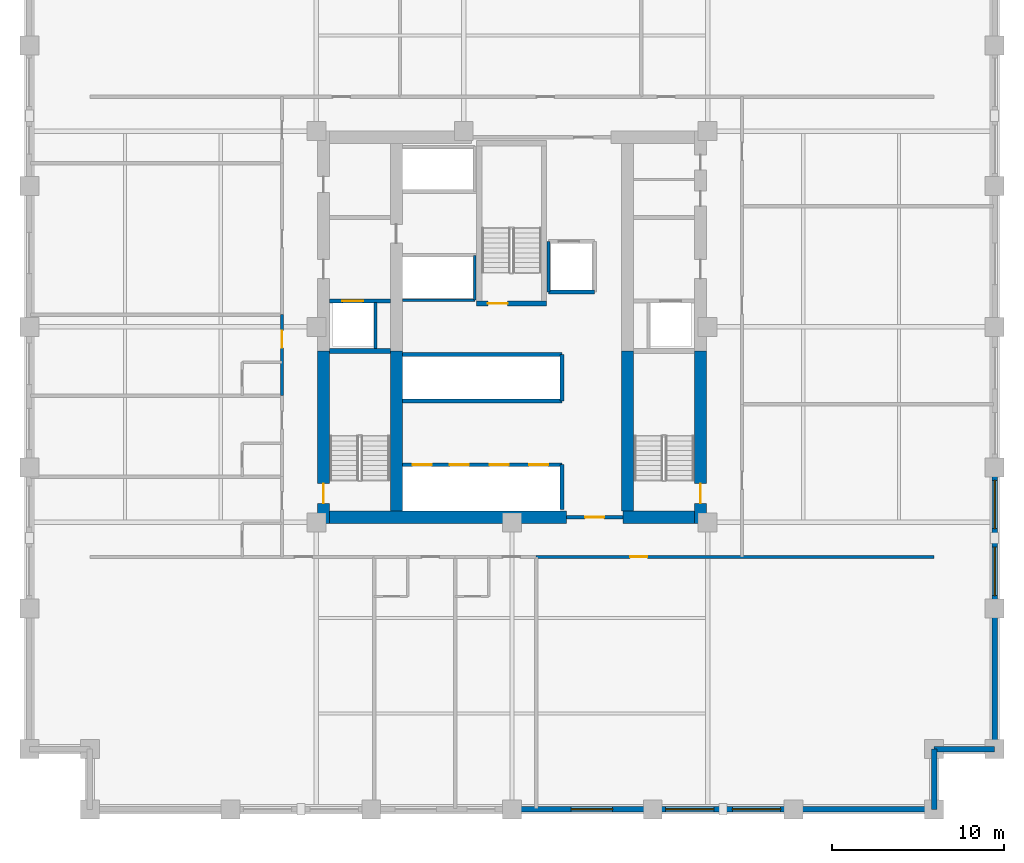
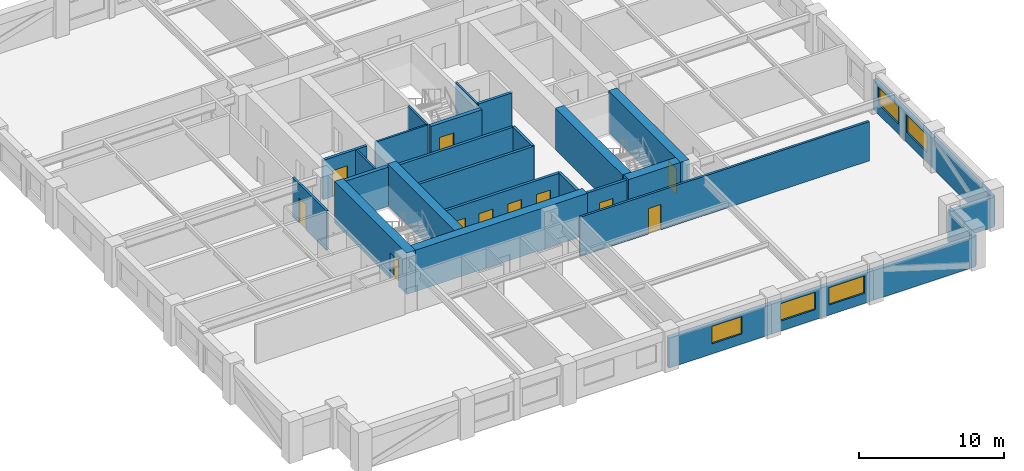
# One storey, part 3 of 7: 29 walls, 11 doors, 5 windows, 16 openings.
"""IFC4 building model written with IfcOpenShell, lengths in metres."""

from ifc_helpers import new_model, si_unit, direction, frame, frame_2d, origin, place, context, subcontext, project, spatial, rectangle, extrude, material, layer, layer_set, type_object, element, fill, save


model = new_model("IFC4")

# Units and contexts
model_context = context("Model", 3, precision=1e-05, world=origin(), true_north=direction((0.0, 1.0)))
body_context = subcontext(model_context, "Body", "Model", "MODEL_VIEW")
ifc_project = project(units=[si_unit("LENGTHUNIT", "METRE"), si_unit("AREAUNIT", "SQUARE_METRE"), si_unit("VOLUMEUNIT", "CUBIC_METRE"), si_unit("PLANEANGLEUNIT", "RADIAN"), si_unit("MASSUNIT", "GRAM", prefix="KILO")], contexts=[model_context])

# Site, building, storey
site_placement = place(None, origin())
site = spatial("IfcSite", under=ifc_project, at=site_placement, CompositionType="ELEMENT")
building_placement = place(site_placement, origin())
building = spatial("IfcBuilding", under=site, at=building_placement, Name="Nhamokura Convention Tower", CompositionType="ELEMENT")
storey_placement = place(building_placement, frame((0.0, 0.0, 59.85009765625)))
storey = spatial("IfcBuildingStorey", under=building, at=storey_placement, Name="L13", CompositionType="ELEMENT", Elevation=59.85009765625)

# Wall, opening, window
ifc_material_1 = material(Name="Bronze-pigmented precast concrete C45/55", Category="concrete")
ifc_layer_1 = layer(ifc_material_1, 0.320068359375)
ifc_layer_set_1 = layer_set([ifc_layer_1], Name="BronzePrecastSpandrel_320")
wall_type_1 = type_object("IfcWallType", Name="BronzePrecastSpandrel_320", PredefinedType="USERDEFINED", material=ifc_layer_set_1)
wall_1_placement = place(storey_placement, frame((40.166748046875, 4.0, 0.0), z_axis=(0.0, 0.0, 1.0), x_axis=(-1.0, 0.0, 0.0)))
wall_1 = element("IfcWall", 1, at=wall_1_placement, inside=storey, type_object=wall_type_1, Name="L13 Masonry-Frame Wall SOUTH 3", ObjectType="SPANDREL_WALL", PredefinedType="USERDEFINED", context=body_context, shape_type="SweptSolid", body=[
    extrude(rectangle(XDim=8.166748046875, YDim=0.320068359375, at=frame_2d((4.08349609375, 0.0))), origin(), (0.0, 0.0, 1.0), 2.52001953125),
])
opening_1_placement = place(wall_1_placement, frame((2.33349609375, 0.0, 0.85009765625)))
opening_1 = element("IfcOpeningElement", 2, at=opening_1_placement, cuts=wall_1, Name="Opening W-03", PredefinedType="OPENING", context=body_context, shape_type="SweptSolid", body=[
    extrude(rectangle(XDim=2.39990234375, YDim=1.469970703125, at=frame_2d((1.199951171875, 0.73486328125))), frame((0.0, 0.169921875, 0.0), z_axis=(0.0, -1.0, 0.0), x_axis=(1.0, 0.0, 0.0)), (0.0, 0.0, 1.0), 0.340087890625),
])
ifc_material_2 = material(Name="Solar-control bronze low-E double glass", Category="glass")
window_type_1 = type_object("IfcWindowType", Name="HotelBayWindow_2400", PartitioningType="DOUBLE_PANEL_VERTICAL", PredefinedType="WINDOW", material=ifc_material_2)
window_1_placement = place(opening_1_placement, origin())
window_1 = element("IfcWindow", 3, at=window_1_placement, inside=storey, type_object=window_type_1, Name="L13 Facade Window SOUTH 3-1", OverallHeight=1.469970703125, OverallWidth=2.39990234375, PartitioningType="SINGLE_PANEL", PredefinedType="WINDOW", context=body_context, shape_type="SweptSolid", body=[
    extrude(rectangle(XDim=2.39990234375, YDim=1.469970703125, at=frame_2d((1.199951171875, 0.73486328125))), frame((0.0, 0.030029296875, 0.0), z_axis=(0.0, -1.0, 0.0), x_axis=(1.0, 0.0, 0.0)), (0.0, 0.0, 1.0), 0.06005859375),
])
fill(opening_1, window_1)

# Wall, openings, windows
wall_2_placement = place(storey_placement, frame((48.333251953125, 4.0, 0.0), z_axis=(0.0, 0.0, 1.0), x_axis=(-1.0, 0.0, 0.0)))
wall_2 = element("IfcWall", 4, at=wall_2_placement, inside=storey, type_object=wall_type_1, Name="L13 Masonry-Frame Wall SOUTH 4", ObjectType="SPANDREL_WALL", PredefinedType="USERDEFINED", context=body_context, shape_type="SweptSolid", body=[
    extrude(rectangle(XDim=8.16650390625, YDim=0.320068359375, at=frame_2d((4.083251953125, 0.0))), origin(), (0.0, 0.0, 1.0), 2.52001953125),
])
opening_2_placement = place(wall_2_placement, frame((0.74169921875, 0.0, 0.85009765625)))
opening_2 = element("IfcOpeningElement", 5, at=opening_2_placement, cuts=wall_2, Name="Opening W-04", PredefinedType="OPENING", context=body_context, shape_type="SweptSolid", body=[
    extrude(rectangle(XDim=2.800048828125, YDim=1.469970703125, at=frame_2d((1.39990234375, 0.73486328125))), frame((0.0, 0.169921875, 0.0), z_axis=(0.0, -1.0, 0.0), x_axis=(1.0, 0.0, 0.0)), (0.0, 0.0, 1.0), 0.340087890625),
])
opening_3_placement = place(wall_2_placement, frame((4.625, 0.0, 0.85009765625)))
opening_3 = element("IfcOpeningElement", 6, at=opening_3_placement, cuts=wall_2, Name="Opening W-04", PredefinedType="OPENING", context=body_context, shape_type="SweptSolid", body=[
    extrude(rectangle(XDim=2.800048828125, YDim=1.469970703125, at=frame_2d((1.39990234375, 0.73486328125))), frame((0.0, 0.169921875, 0.0), z_axis=(0.0, -1.0, 0.0), x_axis=(1.0, 0.0, 0.0)), (0.0, 0.0, 1.0), 0.340087890625),
])
ifc_material_3 = material(Name="Solar-control bronze low-E double glass", Category="glass")
window_type_2 = type_object("IfcWindowType", Name="HotelSuiteWindow_2800", PartitioningType="DOUBLE_PANEL_VERTICAL", PredefinedType="WINDOW", material=ifc_material_3)
window_2_placement = place(opening_2_placement, origin())
window_2 = element("IfcWindow", 7, at=window_2_placement, inside=storey, type_object=window_type_2, Name="L13 Facade Window SOUTH 4-1", OverallHeight=1.469970703125, OverallWidth=2.800048828125, PartitioningType="SINGLE_PANEL", PredefinedType="WINDOW", context=body_context, shape_type="SweptSolid", body=[
    extrude(rectangle(XDim=2.800048828125, YDim=1.469970703125, at=frame_2d((1.39990234375, 0.73486328125))), frame((0.0, 0.030029296875, 0.0), z_axis=(0.0, -1.0, 0.0), x_axis=(1.0, 0.0, 0.0)), (0.0, 0.0, 1.0), 0.06005859375),
])
fill(opening_2, window_2)
window_3_placement = place(opening_3_placement, origin())
window_3 = element("IfcWindow", 8, at=window_3_placement, inside=storey, type_object=window_type_2, Name="L13 Facade Window SOUTH 4-2", OverallHeight=1.469970703125, OverallWidth=2.800048828125, PartitioningType="SINGLE_PANEL", PredefinedType="WINDOW", context=body_context, shape_type="SweptSolid", body=[
    extrude(rectangle(XDim=2.800048828125, YDim=1.469970703125, at=frame_2d((1.39990234375, 0.73486328125))), frame((0.0, 0.030029296875, 0.0), z_axis=(0.0, -1.0, 0.0), x_axis=(1.0, 0.0, 0.0)), (0.0, 0.0, 1.0), 0.06005859375),
])
fill(opening_3, window_3)

# Walls
for number, where, z_axis, x_axis, name in (
    (9, (56.5, 4.0, 0.0), (0.0, 0.0, 1.0), (-1.0, 0.0, 0.0), "L13 Braced-Bay Precast Wall SOUTH 5"),
    (10, (60.0, 15.666748046875, 0.0), (0.0, 0.0, 1.0), (0.0, -1.0, 0.0), "L13 Braced-Bay Precast Wall EAST 0"),
):
    element("IfcWall", number, at=place(storey_placement, frame(where, z_axis=z_axis, x_axis=x_axis)), inside=storey, type_object=wall_type_1, Name=name, ObjectType="SPANDREL_WALL", PredefinedType="USERDEFINED", context=body_context, shape_type="SweptSolid", body=[
        extrude(rectangle(XDim=8.166748046875, YDim=0.320068359375, at=frame_2d((4.08349609375, 0.0))), origin(), (0.0, 0.0, 1.0), 2.52001953125),
    ])

# Wall, openings, windows
wall_3_placement = place(storey_placement, frame((60.0, 23.833251953125, 0.0), z_axis=(0.0, 0.0, 1.0), x_axis=(0.0, -1.0, 0.0)))
wall_3 = element("IfcWall", 11, at=wall_3_placement, inside=storey, type_object=wall_type_1, Name="L13 Masonry-Frame Wall EAST 1", ObjectType="SPANDREL_WALL", PredefinedType="USERDEFINED", context=body_context, shape_type="SweptSolid", body=[
    extrude(rectangle(XDim=8.16650390625, YDim=0.320068359375, at=frame_2d((4.083251953125, 0.0))), origin(), (0.0, 0.0, 1.0), 2.52001953125),
])
opening_4_placement = place(wall_3_placement, frame((0.74169921875, 0.0, 0.85009765625)))
opening_4 = element("IfcOpeningElement", 12, at=opening_4_placement, cuts=wall_3, Name="Opening W-04", PredefinedType="OPENING", context=body_context, shape_type="SweptSolid", body=[
    extrude(rectangle(XDim=2.800048828125, YDim=1.469970703125, at=frame_2d((1.39990234375, 0.73486328125))), frame((0.0, 0.169921875, 0.0), z_axis=(0.0, -1.0, 0.0), x_axis=(1.0, 0.0, 0.0)), (0.0, 0.0, 1.0), 0.340087890625),
])
opening_5_placement = place(wall_3_placement, frame((4.625, 0.0, 0.85009765625)))
opening_5 = element("IfcOpeningElement", 13, at=opening_5_placement, cuts=wall_3, Name="Opening W-04", PredefinedType="OPENING", context=body_context, shape_type="SweptSolid", body=[
    extrude(rectangle(XDim=2.800048828125, YDim=1.469970703125, at=frame_2d((1.39990234375, 0.73486328125))), frame((0.0, 0.169921875, 0.0), z_axis=(0.0, -1.0, 0.0), x_axis=(1.0, 0.0, 0.0)), (0.0, 0.0, 1.0), 0.340087890625),
])
window_4_placement = place(opening_4_placement, origin())
window_4 = element("IfcWindow", 14, at=window_4_placement, inside=storey, type_object=window_type_2, Name="L13 Facade Window EAST 1-1", OverallHeight=1.469970703125, OverallWidth=2.800048828125, PartitioningType="SINGLE_PANEL", PredefinedType="WINDOW", context=body_context, shape_type="SweptSolid", body=[
    extrude(rectangle(XDim=2.800048828125, YDim=1.469970703125, at=frame_2d((1.39990234375, 0.73486328125))), frame((0.0, 0.030029296875, 0.0), z_axis=(0.0, -1.0, 0.0), x_axis=(1.0, 0.0, 0.0)), (0.0, 0.0, 1.0), 0.06005859375),
])
fill(opening_4, window_4)
window_5_placement = place(opening_5_placement, origin())
window_5 = element("IfcWindow", 15, at=window_5_placement, inside=storey, type_object=window_type_2, Name="L13 Facade Window EAST 1-2", OverallHeight=1.469970703125, OverallWidth=2.800048828125, PartitioningType="SINGLE_PANEL", PredefinedType="WINDOW", context=body_context, shape_type="SweptSolid", body=[
    extrude(rectangle(XDim=2.800048828125, YDim=1.469970703125, at=frame_2d((1.39990234375, 0.73486328125))), frame((0.0, 0.030029296875, 0.0), z_axis=(0.0, -1.0, 0.0), x_axis=(1.0, 0.0, 0.0)), (0.0, 0.0, 1.0), 0.06005859375),
])
fill(opening_5, window_5)

# Walls
for number, where, z_axis, x_axis, name in (
    (16, (56.5, 7.5, 0.0), (0.0, 0.0, 1.0), (0.0, -1.0, 0.0), "L13 Notched Corner Wall SE1"),
    (17, (60.0, 7.5, 0.0), (0.0, 0.0, 1.0), (-1.0, 0.0, 0.0), "L13 Notched Corner Wall SE2"),
):
    element("IfcWall", number, at=place(storey_placement, frame(where, z_axis=z_axis, x_axis=x_axis)), inside=storey, type_object=wall_type_1, Name=name, ObjectType="SPANDREL_WALL", PredefinedType="USERDEFINED", context=body_context, shape_type="SweptSolid", body=[
        extrude(rectangle(XDim=3.5, YDim=0.320068359375, at=frame_2d((1.75, 0.0))), origin(), (0.0, 0.0, 1.0), 2.52001953125),
    ])

# Wall, opening, door
ifc_material_4 = material(Name="Concrete C70/85", Category="concrete")
ifc_layer_2 = layer(ifc_material_4, 0.699951171875)
ifc_layer_set_2 = layer_set([ifc_layer_2], Name="CoreShearWall_700")
wall_type_2 = type_object("IfcWallType", Name="CoreShearWall_700", PredefinedType="SHEAR", material=ifc_layer_set_2)
wall_4_placement = place(storey_placement, frame((21.06005859375, 20.60009765625, 0.0), z_axis=(0.0, 0.0, 1.0), x_axis=(0.0, 1.0, 0.0)))
wall_4 = element("IfcWall", 18, at=wall_4_placement, inside=storey, type_object=wall_type_2, Name="L13 Core Shear Wall CW-WS", PredefinedType="SHEAR", context=body_context, shape_type="SweptSolid", body=[
    extrude(rectangle(XDim=10.0, YDim=0.699951171875, at=frame_2d((5.0, 0.0))), origin(), (0.0, 0.0, 1.0), 3.5),
])
opening_6_placement = place(wall_4_placement, frame((1.14990234375, 0.0, 0.0)))
opening_6 = element("IfcOpeningElement", 19, at=opening_6_placement, cuts=wall_4, Name="Opening D-04", PredefinedType="OPENING", context=body_context, shape_type="SweptSolid", body=[
    extrude(rectangle(XDim=1.14990234375, YDim=2.14990234375, at=frame_2d((0.574951171875, 1.074951171875))), frame((0.0, 0.35986328125, 0.0), z_axis=(0.0, -1.0, 0.0), x_axis=(1.0, 0.0, 0.0)), (0.0, 0.0, 1.0), 0.719970703125),
])
ifc_material_5 = material(Name="Fire-rated steel door", Category="steel")
door_type_1 = type_object("IfcDoorType", Name="StairSmokeDoor_1150", OperationType="NOTDEFINED", PredefinedType="DOOR", material=ifc_material_5)
door_1_placement = place(opening_6_placement, origin())
door_1 = element("IfcDoor", 20, at=door_1_placement, inside=storey, type_object=door_type_1, Name="L13 Core Door INT-L13-D-ST01", OperationType="SINGLE_SWING_LEFT", OverallHeight=2.14990234375, OverallWidth=1.14990234375, PredefinedType="DOOR", context=body_context, shape_type="SweptSolid", body=[
    extrude(rectangle(XDim=1.14990234375, YDim=2.14990234375, at=frame_2d((0.574951171875, 1.074951171875))), frame((0.0, 0.02490234375, 0.0), z_axis=(0.0, -1.0, 0.0), x_axis=(1.0, 0.0, 0.0)), (0.0, 0.0, 1.0), 0.050048828125),
])
fill(opening_6, door_1)

wall_5_placement = place(storey_placement, frame((42.93994140625, 20.60009765625, 0.0), z_axis=(0.0, 0.0, 1.0), x_axis=(0.0, 1.0, 0.0)))
wall_5 = element("IfcWall", 21, at=wall_5_placement, inside=storey, type_object=wall_type_2, Name="L13 Core Shear Wall CW-ES", PredefinedType="SHEAR", context=body_context, shape_type="SweptSolid", body=[
    extrude(rectangle(XDim=10.0, YDim=0.699951171875, at=frame_2d((5.0, 0.0))), origin(), (0.0, 0.0, 1.0), 3.5),
])
opening_7_placement = place(wall_5_placement, frame((1.14990234375, 0.0, 0.0)))
opening_7 = element("IfcOpeningElement", 22, at=opening_7_placement, cuts=wall_5, Name="Opening D-04", PredefinedType="OPENING", context=body_context, shape_type="SweptSolid", body=[
    extrude(rectangle(XDim=1.14990234375, YDim=2.14990234375, at=frame_2d((0.574951171875, 1.074951171875))), frame((0.0, 0.35986328125, 0.0), z_axis=(0.0, -1.0, 0.0), x_axis=(1.0, 0.0, 0.0)), (0.0, 0.0, 1.0), 0.719970703125),
])
door_2_placement = place(opening_7_placement, origin())
door_2 = element("IfcDoor", 23, at=door_2_placement, inside=storey, type_object=door_type_1, Name="L13 Core Door INT-L13-D-ST02", OperationType="SINGLE_SWING_RIGHT", OverallHeight=2.14990234375, OverallWidth=1.14990234375, PredefinedType="DOOR", context=body_context, shape_type="SweptSolid", body=[
    extrude(rectangle(XDim=1.14990234375, YDim=2.14990234375, at=frame_2d((0.574951171875, 1.074951171875))), frame((0.0, 0.02490234375, 0.0), z_axis=(0.0, -1.0, 0.0), x_axis=(1.0, 0.0, 0.0)), (0.0, 0.0, 1.0), 0.050048828125),
])
fill(opening_7, door_2)

# Walls
wall_6_placement = place(storey_placement, frame((21.409912109375, 20.949951171875, 0.0), z_axis=(0.0, 0.0, 1.0), x_axis=(1.0, 0.0, 0.0)))
element("IfcWall", 24, at=wall_6_placement, inside=storey, type_object=wall_type_2, Name="L13 Core Shear Wall CW-S1", PredefinedType="SHEAR", context=body_context, shape_type="SweptSolid", body=[
    extrude(rectangle(XDim=13.739990234375, YDim=0.699951171875, at=frame_2d((6.8701171875, 0.0))), origin(), (0.0, 0.0, 1.0), 3.5),
])
wall_7_placement = place(storey_placement, frame((38.449951171875, 20.949951171875, 0.0), z_axis=(0.0, 0.0, 1.0), x_axis=(1.0, 0.0, 0.0)))
element("IfcWall", 25, at=wall_7_placement, inside=storey, type_object=wall_type_2, Name="L13 Core Shear Wall CW-S2", PredefinedType="SHEAR", context=body_context, shape_type="SweptSolid", body=[
    extrude(rectangle(XDim=4.14013671875, YDim=0.699951171875, at=frame_2d((2.070068359375, 0.0))), origin(), (0.0, 0.0, 1.0), 3.5),
])
for number, where, z_axis, x_axis, name in (
    (26, (25.2900390625, 21.300048828125, 0.0), (0.0, 0.0, 1.0), (0.0, 1.0, 0.0), "L13 Core Shear Wall CW-IWS"),
    (27, (38.7099609375, 21.300048828125, 0.0), (0.0, 0.0, 1.0), (0.0, 1.0, 0.0), "L13 Core Shear Wall CW-IES"),
):
    element("IfcWall", number, at=place(storey_placement, frame(where, z_axis=z_axis, x_axis=x_axis)), inside=storey, type_object=wall_type_2, Name=name, PredefinedType="SHEAR", context=body_context, shape_type="SweptSolid", body=[
        extrude(rectangle(XDim=9.300048828125, YDim=0.699951171875, at=frame_2d((4.64990234375, 0.0))), origin(), (0.0, 0.0, 1.0), 3.5),
    ])

# Wall, opening, door
ifc_material_6 = material(Name="Fire-rated gypsum and masonry partition", Category="masonry")
ifc_layer_3 = layer(ifc_material_6, 0.179931640625)
ifc_layer_set_3 = layer_set([ifc_layer_3], Name="CorridorRatedWall_180")
wall_type_3 = type_object("IfcWallType", Name="CorridorRatedWall_180", PredefinedType="STANDARD", material=ifc_layer_set_3)
wall_8_placement = place(storey_placement, frame((33.39990234375, 18.64990234375, 0.0), z_axis=(0.0, 0.0, 1.0), x_axis=(1.0, 0.0, 0.0)))
wall_8 = element("IfcWall", 28, at=wall_8_placement, inside=storey, type_object=wall_type_3, Name="L13 Wall INT-L13-CW-S03", PredefinedType="STANDARD", context=body_context, shape_type="SweptSolid", body=[
    extrude(rectangle(XDim=23.10009765625, YDim=0.179931640625, at=frame_2d((11.550048828125, 0.0))), origin(), (0.0, 0.0, 1.0), 3.31982421875),
])
opening_8_placement = place(wall_8_placement, frame((5.449951171875, 0.0, 0.0)))
opening_8 = element("IfcOpeningElement", 29, at=opening_8_placement, cuts=wall_8, Name="Opening D-07", PredefinedType="OPENING", context=body_context, shape_type="SweptSolid", body=[
    extrude(rectangle(XDim=1.0, YDim=2.14990234375, at=frame_2d((0.5, 1.074951171875))), frame((0.0, 0.099853515625, 0.0), z_axis=(0.0, -1.0, 0.0), x_axis=(1.0, 0.0, 0.0)), (0.0, 0.0, 1.0), 0.199951171875),
])
ifc_material_7 = material(Name="Solid oak hardwood", Category="wood")
door_type_2 = type_object("IfcDoorType", Name="HotelSuiteEntryDoor_1000", OperationType="NOTDEFINED", PredefinedType="DOOR", material=ifc_material_7)
door_3_placement = place(opening_8_placement, origin())
door_3 = element("IfcDoor", 30, at=door_3_placement, inside=storey, type_object=door_type_2, Name="L13 Conference Salon S04 Door", OperationType="SINGLE_SWING_RIGHT", OverallHeight=2.14990234375, OverallWidth=1.0, PredefinedType="DOOR", context=body_context, shape_type="SweptSolid", body=[
    extrude(rectangle(XDim=1.0, YDim=2.14990234375, at=frame_2d((0.5, 1.074951171875))), frame((0.0, 0.02490234375, 0.0), z_axis=(0.0, -1.0, 0.0), x_axis=(1.0, 0.0, 0.0)), (0.0, 0.0, 1.0), 0.050048828125),
])
fill(opening_8, door_3)

wall_9_placement = place(storey_placement, frame((18.64990234375, 28.0, 0.0), z_axis=(0.0, 0.0, 1.0), x_axis=(0.0, 1.0, 0.0)))
wall_9 = element("IfcWall", 31, at=wall_9_placement, inside=storey, type_object=wall_type_3, Name="L13 Wall INT-L13-CW-W02", PredefinedType="STANDARD", context=body_context, shape_type="SweptSolid", body=[
    extrude(rectangle(XDim=4.699951171875, YDim=0.179931640625, at=frame_2d((2.35009765625, 0.0))), origin(), (0.0, 0.0, 1.0), 3.31982421875),
])
opening_9_placement = place(wall_9_placement, frame((2.77490234375, 0.0, 0.0)))
opening_9 = element("IfcOpeningElement", 32, at=opening_9_placement, cuts=wall_9, Name="Opening D-07", PredefinedType="OPENING", context=body_context, shape_type="SweptSolid", body=[
    extrude(rectangle(XDim=1.0, YDim=2.14990234375, at=frame_2d((0.5, 1.074951171875))), frame((0.0, 0.099853515625, 0.0), z_axis=(0.0, -1.0, 0.0), x_axis=(1.0, 0.0, 0.0)), (0.0, 0.0, 1.0), 0.199951171875),
])
door_4_placement = place(opening_9_placement, origin())
door_4 = element("IfcDoor", 33, at=door_4_placement, inside=storey, type_object=door_type_2, Name="L13 Guest Room W03 Door", OperationType="SINGLE_SWING_LEFT", OverallHeight=2.14990234375, OverallWidth=1.0, PredefinedType="DOOR", context=body_context, shape_type="SweptSolid", body=[
    extrude(rectangle(XDim=1.0, YDim=2.14990234375, at=frame_2d((0.5, 1.074951171875))), frame((0.0, 0.02490234375, 0.0), z_axis=(0.0, -1.0, 0.0), x_axis=(1.0, 0.0, 0.0)), (0.0, 0.0, 1.0), 0.050048828125),
])
fill(opening_9, door_4)

ifc_material_8 = material(Name="Autoclaved concrete blockwork", Category="masonry")
ifc_layer_4 = layer(ifc_material_8, 0.219970703125)
ifc_layer_set_4 = layer_set([ifc_layer_4], Name="FireLobbyWall_220")
wall_type_4 = type_object("IfcWallType", Name="FireLobbyWall_220", PredefinedType="STANDARD", material=ifc_layer_set_4)
wall_10_placement = place(storey_placement, frame((21.409912109375, 33.5, 0.0), z_axis=(0.0, 0.0, 1.0), x_axis=(1.0, 0.0, 0.0)))
wall_10 = element("IfcWall", 34, at=wall_10_placement, inside=storey, type_object=wall_type_4, Name="L13 Wall INT-L13-FFW-S", PredefinedType="STANDARD", context=body_context, shape_type="SweptSolid", body=[
    extrude(rectangle(XDim=3.530029296875, YDim=0.219970703125, at=frame_2d((1.76513671875, 0.0))), origin(), (0.0, 0.0, 1.0), 3.31982421875),
])
opening_10_placement = place(wall_10_placement, frame((0.75, 0.0, 0.0)))
opening_10 = element("IfcOpeningElement", 35, at=opening_10_placement, cuts=wall_10, Name="Opening LD-02", PredefinedType="OPENING", context=body_context, shape_type="SweptSolid", body=[
    extrude(rectangle(XDim=1.199951171875, YDim=2.199951171875, at=frame_2d((0.60009765625, 1.10009765625))), frame((0.0, 0.119873046875, 0.0), z_axis=(0.0, -1.0, 0.0), x_axis=(1.0, 0.0, 0.0)), (0.0, 0.0, 1.0), 0.239990234375),
])
ifc_material_9 = material(Name="Anodised bronze stainless steel", Category="steel")
door_type_3 = type_object("IfcDoorType", Name="LiftLandingDoor_FireService", OperationType="DOUBLE_DOOR_SLIDING", PredefinedType="DOOR", material=ifc_material_9)
door_5_placement = place(opening_10_placement, origin())
door_5 = element("IfcDoor", 36, at=door_5_placement, inside=storey, type_object=door_type_3, Name="L13 Firefighting Lift LF-01 Door", OperationType="DOUBLE_DOOR_SLIDING", OverallHeight=2.199951171875, OverallWidth=1.199951171875, PredefinedType="DOOR", context=body_context, shape_type="SweptSolid", body=[
    extrude(rectangle(XDim=1.199951171875, YDim=2.199951171875, at=frame_2d((0.60009765625, 1.10009765625))), frame((0.0, 0.02490234375, 0.0), z_axis=(0.0, -1.0, 0.0), x_axis=(1.0, 0.0, 0.0)), (0.0, 0.0, 1.0), 0.050048828125),
])
fill(opening_10, door_5)

wall_11_placement = place(storey_placement, frame((35.14990234375, 20.949951171875, 0.0), z_axis=(0.0, 0.0, 1.0), x_axis=(1.0, 0.0, 0.0)))
wall_11 = element("IfcWall", 37, at=wall_11_placement, inside=storey, type_object=wall_type_4, Name="L13 Wall INT-L13-SPORT-S", PredefinedType="STANDARD", context=body_context, shape_type="SweptSolid", body=[
    extrude(rectangle(XDim=3.300048828125, YDim=0.219970703125, at=frame_2d((1.64990234375, 0.0))), origin(), (0.0, 0.0, 1.0), 3.31982421875),
])
opening_11_placement = place(wall_11_placement, frame((1.10009765625, 0.0, 0.0)))
opening_11 = element("IfcOpeningElement", 38, at=opening_11_placement, cuts=wall_11, Name="Opening D-05", PredefinedType="OPENING", context=body_context, shape_type="SweptSolid", body=[
    extrude(rectangle(XDim=1.10009765625, YDim=2.14990234375, at=frame_2d((0.550048828125, 1.074951171875))), frame((0.0, 0.119873046875, 0.0), z_axis=(0.0, -1.0, 0.0), x_axis=(1.0, 0.0, 0.0)), (0.0, 0.0, 1.0), 0.239990234375),
])
ifc_material_10 = material(Name="Fire-rated steel door", Category="steel")
door_type_4 = type_object("IfcDoorType", Name="FireLobbyDoor_1100", OperationType="NOTDEFINED", PredefinedType="DOOR", material=ifc_material_10)
door_6_placement = place(opening_11_placement, origin())
door_6 = element("IfcDoor", 39, at=door_6_placement, inside=storey, type_object=door_type_4, Name="L13 South Core Lobby Portal Door", OperationType="SINGLE_SWING_LEFT", OverallHeight=2.14990234375, OverallWidth=1.10009765625, PredefinedType="DOOR", context=body_context, shape_type="SweptSolid", body=[
    extrude(rectangle(XDim=1.10009765625, YDim=2.14990234375, at=frame_2d((0.550048828125, 1.074951171875))), frame((0.0, 0.02490234375, 0.0), z_axis=(0.0, -1.0, 0.0), x_axis=(1.0, 0.0, 0.0)), (0.0, 0.0, 1.0), 0.050048828125),
])
fill(opening_11, door_6)

# Wall, openings, doors
wall_12_placement = place(storey_placement, frame((25.64990234375, 24.0, 0.0), z_axis=(0.0, 0.0, 1.0), x_axis=(1.0, 0.0, 0.0)))
wall_12 = element("IfcWall", 40, at=wall_12_placement, inside=storey, type_object=wall_type_4, Name="L13 Wall INT-L13-B1N", PredefinedType="STANDARD", context=body_context, shape_type="SweptSolid", body=[
    extrude(rectangle(XDim=9.25, YDim=0.219970703125, at=frame_2d((4.625, 0.0))), origin(), (0.0, 0.0, 1.0), 3.31982421875),
])
opening_12_placement = place(wall_12_placement, frame((0.580078125, 0.0, 0.0)))
opening_12 = element("IfcOpeningElement", 41, at=opening_12_placement, cuts=wall_12, Name="Opening LD-01", PredefinedType="OPENING", context=body_context, shape_type="SweptSolid", body=[
    extrude(rectangle(XDim=1.10009765625, YDim=2.14990234375, at=frame_2d((0.550048828125, 1.074951171875))), frame((0.0, 0.119873046875, 0.0), z_axis=(0.0, -1.0, 0.0), x_axis=(1.0, 0.0, 0.0)), (0.0, 0.0, 1.0), 0.239990234375),
])
opening_13_placement = place(wall_12_placement, frame((2.75, 0.0, 0.0)))
opening_13 = element("IfcOpeningElement", 42, at=opening_13_placement, cuts=wall_12, Name="Opening LD-01", PredefinedType="OPENING", context=body_context, shape_type="SweptSolid", body=[
    extrude(rectangle(XDim=1.10009765625, YDim=2.14990234375, at=frame_2d((0.550048828125, 1.074951171875))), frame((0.0, 0.119873046875, 0.0), z_axis=(0.0, -1.0, 0.0), x_axis=(1.0, 0.0, 0.0)), (0.0, 0.0, 1.0), 0.239990234375),
])
opening_14_placement = place(wall_12_placement, frame((5.050048828125, 0.0, 0.0)))
opening_14 = element("IfcOpeningElement", 43, at=opening_14_placement, cuts=wall_12, Name="Opening LD-01", PredefinedType="OPENING", context=body_context, shape_type="SweptSolid", body=[
    extrude(rectangle(XDim=1.10009765625, YDim=2.14990234375, at=frame_2d((0.550048828125, 1.074951171875))), frame((0.0, 0.119873046875, 0.0), z_axis=(0.0, -1.0, 0.0), x_axis=(1.0, 0.0, 0.0)), (0.0, 0.0, 1.0), 0.239990234375),
])
opening_15_placement = place(wall_12_placement, frame((7.35009765625, 0.0, 0.0)))
opening_15 = element("IfcOpeningElement", 44, at=opening_15_placement, cuts=wall_12, Name="Opening LD-01", PredefinedType="OPENING", context=body_context, shape_type="SweptSolid", body=[
    extrude(rectangle(XDim=1.10009765625, YDim=2.14990234375, at=frame_2d((0.550048828125, 1.074951171875))), frame((0.0, 0.119873046875, 0.0), z_axis=(0.0, -1.0, 0.0), x_axis=(1.0, 0.0, 0.0)), (0.0, 0.0, 1.0), 0.239990234375),
])
ifc_material_11 = material(Name="Anodised bronze stainless steel", Category="steel")
door_type_5 = type_object("IfcDoorType", Name="LiftLandingDoor_Passenger", OperationType="DOUBLE_DOOR_SLIDING", PredefinedType="DOOR", material=ifc_material_11)
door_7_placement = place(opening_12_placement, origin())
door_7 = element("IfcDoor", 45, at=door_7_placement, inside=storey, type_object=door_type_5, Name="L13 Lift LP-01 Landing Door", OperationType="DOUBLE_DOOR_SLIDING", OverallHeight=2.14990234375, OverallWidth=1.10009765625, PredefinedType="DOOR", context=body_context, shape_type="SweptSolid", body=[
    extrude(rectangle(XDim=1.10009765625, YDim=2.14990234375, at=frame_2d((0.550048828125, 1.074951171875))), frame((0.0, 0.02490234375, 0.0), z_axis=(0.0, -1.0, 0.0), x_axis=(1.0, 0.0, 0.0)), (0.0, 0.0, 1.0), 0.050048828125),
])
fill(opening_12, door_7)
door_8_placement = place(opening_13_placement, origin())
door_8 = element("IfcDoor", 46, at=door_8_placement, inside=storey, type_object=door_type_5, Name="L13 Lift LP-02 Landing Door", OperationType="DOUBLE_DOOR_SLIDING", OverallHeight=2.14990234375, OverallWidth=1.10009765625, PredefinedType="DOOR", context=body_context, shape_type="SweptSolid", body=[
    extrude(rectangle(XDim=1.10009765625, YDim=2.14990234375, at=frame_2d((0.550048828125, 1.074951171875))), frame((0.0, 0.02490234375, 0.0), z_axis=(0.0, -1.0, 0.0), x_axis=(1.0, 0.0, 0.0)), (0.0, 0.0, 1.0), 0.050048828125),
])
fill(opening_13, door_8)
door_9_placement = place(opening_14_placement, origin())
door_9 = element("IfcDoor", 47, at=door_9_placement, inside=storey, type_object=door_type_5, Name="L13 Lift LP-03 Landing Door", OperationType="DOUBLE_DOOR_SLIDING", OverallHeight=2.14990234375, OverallWidth=1.10009765625, PredefinedType="DOOR", context=body_context, shape_type="SweptSolid", body=[
    extrude(rectangle(XDim=1.10009765625, YDim=2.14990234375, at=frame_2d((0.550048828125, 1.074951171875))), frame((0.0, 0.02490234375, 0.0), z_axis=(0.0, -1.0, 0.0), x_axis=(1.0, 0.0, 0.0)), (0.0, 0.0, 1.0), 0.050048828125),
])
fill(opening_14, door_9)
door_10_placement = place(opening_15_placement, origin())
door_10 = element("IfcDoor", 48, at=door_10_placement, inside=storey, type_object=door_type_5, Name="L13 Lift LP-04 Landing Door", OperationType="DOUBLE_DOOR_SLIDING", OverallHeight=2.14990234375, OverallWidth=1.10009765625, PredefinedType="DOOR", context=body_context, shape_type="SweptSolid", body=[
    extrude(rectangle(XDim=1.10009765625, YDim=2.14990234375, at=frame_2d((0.550048828125, 1.074951171875))), frame((0.0, 0.02490234375, 0.0), z_axis=(0.0, -1.0, 0.0), x_axis=(1.0, 0.0, 0.0)), (0.0, 0.0, 1.0), 0.050048828125),
])
fill(opening_15, door_10)

# Walls
wall_13_placement = place(storey_placement, frame((34.89990234375, 21.39990234375, 0.0), z_axis=(0.0, 0.0, 1.0), x_axis=(0.0, 1.0, 0.0)))
element("IfcWall", 49, at=wall_13_placement, inside=storey, type_object=wall_type_4, Name="L13 Wall INT-L13-B1E", PredefinedType="STANDARD", context=body_context, shape_type="SweptSolid", body=[
    extrude(rectangle(XDim=2.60009765625, YDim=0.219970703125, at=frame_2d((1.300048828125, 0.0))), origin(), (0.0, 0.0, 1.0), 3.31982421875),
])
for number, where, z_axis, x_axis, name in (
    (50, (25.64990234375, 27.699951171875, 0.0), (0.0, 0.0, 1.0), (1.0, 0.0, 0.0), "L13 Wall INT-L13-B2S"),
    (51, (25.64990234375, 30.39990234375, 0.0), (0.0, 0.0, 1.0), (1.0, 0.0, 0.0), "L13 Wall INT-L13-B2N"),
):
    element("IfcWall", number, at=place(storey_placement, frame(where, z_axis=z_axis, x_axis=x_axis)), inside=storey, type_object=wall_type_4, Name=name, PredefinedType="STANDARD", context=body_context, shape_type="SweptSolid", body=[
        extrude(rectangle(XDim=9.25, YDim=0.219970703125, at=frame_2d((4.625, 0.0))), origin(), (0.0, 0.0, 1.0), 3.31982421875),
    ])
wall_14_placement = place(storey_placement, frame((34.89990234375, 27.699951171875, 0.0), z_axis=(0.0, 0.0, 1.0), x_axis=(0.0, 1.0, 0.0)))
element("IfcWall", 52, at=wall_14_placement, inside=storey, type_object=wall_type_4, Name="L13 Wall INT-L13-B2E", PredefinedType="STANDARD", context=body_context, shape_type="SweptSolid", body=[
    extrude(rectangle(XDim=2.699951171875, YDim=0.219970703125, at=frame_2d((1.35009765625, 0.0))), origin(), (0.0, 0.0, 1.0), 3.31982421875),
])
wall_15_placement = place(storey_placement, frame((34.1201171875, 34.02001953125, 0.0), z_axis=(0.0, 0.0, 1.0), x_axis=(1.0, 0.0, 0.0)))
element("IfcWall", 53, at=wall_15_placement, inside=storey, type_object=wall_type_4, Name="L13 Wall INT-L13-LSS", PredefinedType="STANDARD", context=body_context, shape_type="SweptSolid", body=[
    extrude(rectangle(XDim=2.679931640625, YDim=0.219970703125, at=frame_2d((1.33984375, 0.0))), origin(), (0.0, 0.0, 1.0), 3.31982421875),
])
ifc_material_12 = material(Name="Acoustic gypsum stud partition", Category="masonry")
ifc_layer_5 = layer(ifc_material_12, 0.14990234375)
ifc_layer_set_5 = layer_set([ifc_layer_5], Name="InteriorPartition_150")
wall_type_5 = type_object("IfcWallType", Name="InteriorPartition_150", PredefinedType="STANDARD", material=ifc_layer_set_5)
wall_16_placement = place(storey_placement, frame((24.080078125, 30.75, 0.0), z_axis=(0.0, 0.0, 1.0), x_axis=(0.0, 1.0, 0.0)))
element("IfcWall", 54, at=wall_16_placement, inside=storey, type_object=wall_type_5, Name="L13 Wall INT-L13-FF1-E", PredefinedType="STANDARD", context=body_context, shape_type="SweptSolid", body=[
    extrude(rectangle(XDim=2.64990234375, YDim=0.14990234375, at=frame_2d((1.324951171875, 0.0))), origin(), (0.0, 0.0, 1.0), 3.31982421875),
])
wall_17_placement = place(storey_placement, frame((25.64990234375, 33.550048828125, 0.0), z_axis=(0.0, 0.0, 1.0), x_axis=(1.0, 0.0, 0.0)))
element("IfcWall", 55, at=wall_17_placement, inside=storey, type_object=wall_type_5, Name="L13 Wall INT-L13-B3A-S", PredefinedType="STANDARD", context=body_context, shape_type="SweptSolid", body=[
    extrude(rectangle(XDim=4.2001953125, YDim=0.14990234375, at=frame_2d((2.10009765625, 0.0))), origin(), (0.0, 0.0, 1.0), 3.31982421875),
])
wall_18_placement = place(storey_placement, frame((29.85009765625, 33.550048828125, 0.0), z_axis=(0.0, 0.0, 1.0), x_axis=(0.0, 1.0, 0.0)))
element("IfcWall", 56, at=wall_18_placement, inside=storey, type_object=wall_type_5, Name="L13 Wall INT-L13-B3A-E", PredefinedType="STANDARD", context=body_context, shape_type="SweptSolid", body=[
    extrude(rectangle(XDim=2.599853515625, YDim=0.14990234375, at=frame_2d((1.2998046875, 0.0))), origin(), (0.0, 0.0, 1.0), 3.31982421875),
])
wall_19_placement = place(storey_placement, frame((34.1201171875, 34.02001953125, 0.0), z_axis=(0.0, 0.0, 1.0), x_axis=(0.0, 1.0, 0.0)))
element("IfcWall", 57, at=wall_19_placement, inside=storey, type_object=wall_type_5, Name="L13 Wall INT-L13-LSW", PredefinedType="STANDARD", context=body_context, shape_type="SweptSolid", body=[
    extrude(rectangle(XDim=2.929931640625, YDim=0.14990234375, at=frame_2d((1.46484375, 0.0))), origin(), (0.0, 0.0, 1.0), 3.31982421875),
])
ifc_material_13 = material(Name="Concrete C50/60", Category="concrete")
ifc_layer_6 = layer(ifc_material_13, 0.300048828125)
ifc_layer_set_6 = layer_set([ifc_layer_6], Name="ShaftEnclosureWall_300")
wall_type_6 = type_object("IfcWallType", Name="ShaftEnclosureWall_300", PredefinedType="SHEAR", material=ifc_layer_set_6)
wall_20_placement = place(storey_placement, frame((21.409912109375, 30.60009765625, 0.0), z_axis=(0.0, 0.0, 1.0), x_axis=(1.0, 0.0, 0.0)))
element("IfcWall", 58, at=wall_20_placement, inside=storey, type_object=wall_type_6, Name="L13 Wall INT-L13-ST01-N", PredefinedType="SHEAR", context=body_context, shape_type="SweptSolid", body=[
    extrude(rectangle(XDim=3.530029296875, YDim=0.300048828125, at=frame_2d((1.76513671875, 0.0))), origin(), (0.0, 0.0, 1.0), 3.31982421875),
])

# Wall, opening, door
wall_21_placement = place(storey_placement, frame((29.949951171875, 33.35009765625, 0.0), z_axis=(0.0, 0.0, 1.0), x_axis=(1.0, 0.0, 0.0)))
wall_21 = element("IfcWall", 59, at=wall_21_placement, inside=storey, type_object=wall_type_6, Name="L13 Wall INT-L13-ST03S", PredefinedType="SHEAR", context=body_context, shape_type="SweptSolid", body=[
    extrude(rectangle(XDim=4.050048828125, YDim=0.300048828125, at=frame_2d((2.02490234375, 0.0))), origin(), (0.0, 0.0, 1.0), 3.31982421875),
])
opening_16_placement = place(wall_21_placement, frame((0.64990234375, 0.0, 0.0)))
opening_16 = element("IfcOpeningElement", 60, at=opening_16_placement, cuts=wall_21, Name="Opening D-04", PredefinedType="OPENING", context=body_context, shape_type="SweptSolid", body=[
    extrude(rectangle(XDim=1.14990234375, YDim=2.14990234375, at=frame_2d((0.574951171875, 1.074951171875))), frame((0.0, 0.159912109375, 0.0), z_axis=(0.0, -1.0, 0.0), x_axis=(1.0, 0.0, 0.0)), (0.0, 0.0, 1.0), 0.320068359375),
])
door_11_placement = place(opening_16_placement, origin())
door_11 = element("IfcDoor", 61, at=door_11_placement, inside=storey, type_object=door_type_1, Name="L13 Stair ST-03 Smoke Door", OperationType="SINGLE_SWING_LEFT", OverallHeight=2.14990234375, OverallWidth=1.14990234375, PredefinedType="DOOR", context=body_context, shape_type="SweptSolid", body=[
    extrude(rectangle(XDim=1.14990234375, YDim=2.14990234375, at=frame_2d((0.574951171875, 1.074951171875))), frame((0.0, 0.02490234375, 0.0), z_axis=(0.0, -1.0, 0.0), x_axis=(1.0, 0.0, 0.0)), (0.0, 0.0, 1.0), 0.050048828125),
])
fill(opening_16, door_11)

save(model, "model.ifc")
